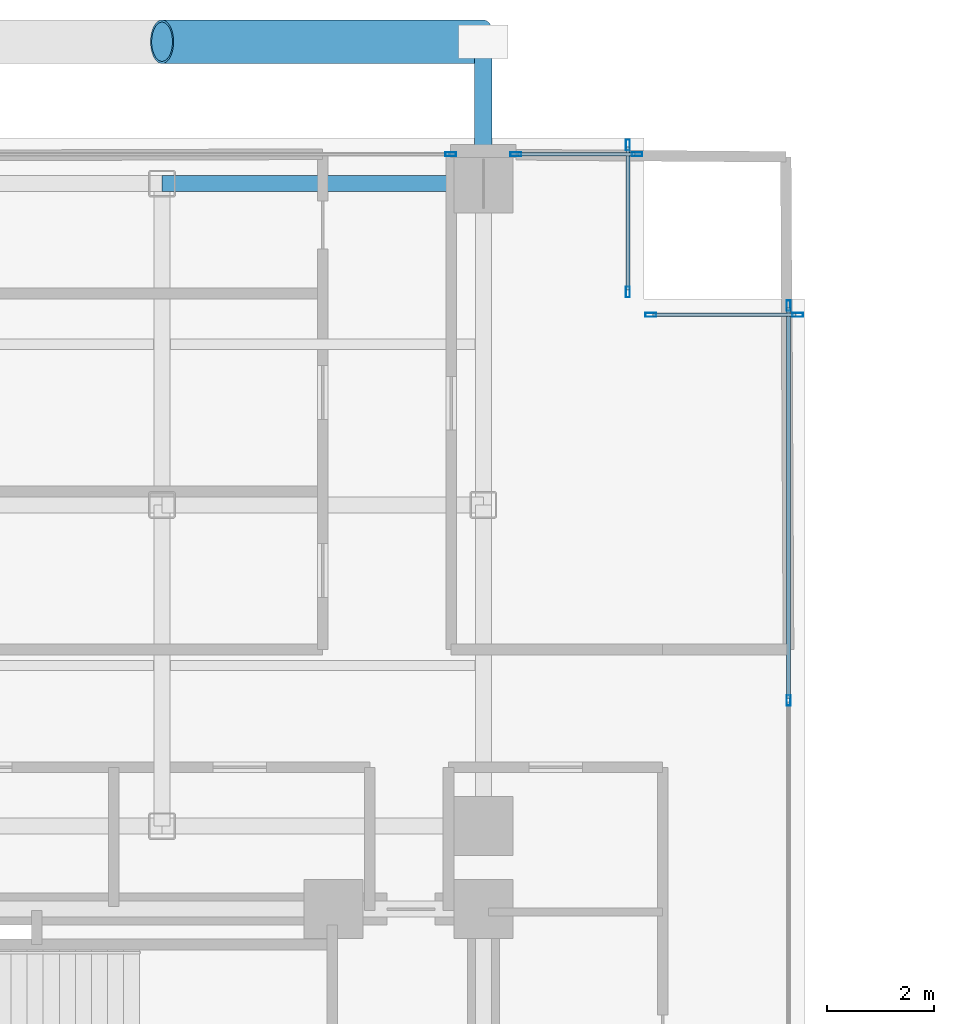
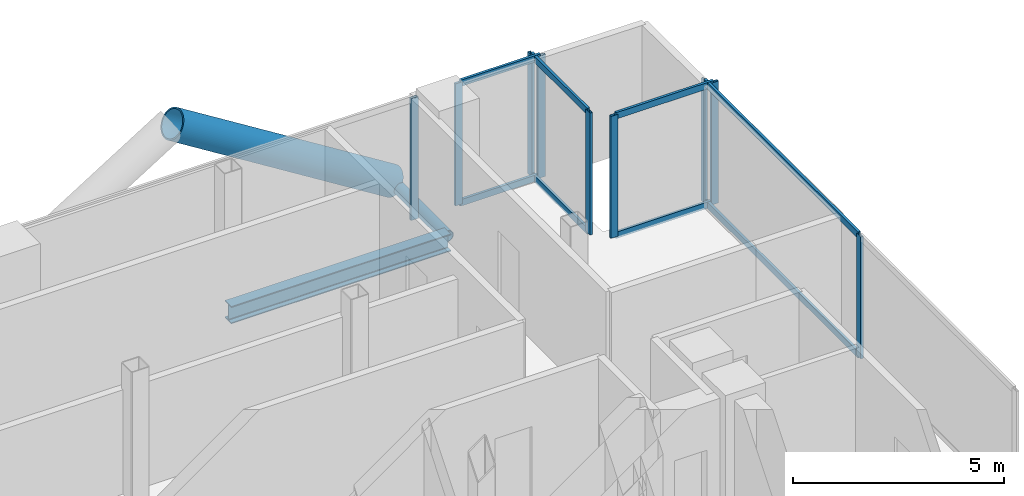
# One storey, part 17 of 28: 19 members, 1 beam, 5 elements without a shape of their own.
"""IFC4 building model written with IfcOpenShell, lengths in metres."""

from ifc_helpers import new_model, si_unit, direction, frame, origin, origin_2d, place, context, subcontext, project, spatial, hollow_rectangle, hollow_circle, i_section, extrude, material, layer, layer_set, material_profile, profile_set, type_object, element, aggregate, save


model = new_model("IFC4")

# Units and contexts
model_context = context("Model", 3, precision=1e-05, world=origin(), true_north=direction((0.0, 1.0)))
body_context = subcontext(model_context, "Body", "Model", "MODEL_VIEW")
ifc_project = project(units=[si_unit("LENGTHUNIT", "METRE"), si_unit("AREAUNIT", "SQUARE_METRE"), si_unit("VOLUMEUNIT", "CUBIC_METRE"), si_unit("PLANEANGLEUNIT", "RADIAN"), si_unit("MASSUNIT", "GRAM", prefix="KILO"), si_unit("THERMODYNAMICTEMPERATUREUNIT", "KELVIN"), si_unit("POWERUNIT", "WATT")], contexts=[model_context])

# Site, building, storey
site_placement = place(None, origin())
site = spatial("IfcSite", under=ifc_project, at=site_placement, CompositionType="ELEMENT")
building_placement = place(site_placement, origin())
building = spatial("IfcBuilding", under=site, at=building_placement, Name="Svarakhadi Broadcast Tower", CompositionType="ELEMENT")
storey_placement = place(building_placement, frame((0.0, 0.0, 119.39990234375)))
storey = spatial("IfcBuildingStorey", under=building, at=storey_placement, Name="L28", CompositionType="ELEMENT", Elevation=119.39990234375)

# Curtain wall, member
ifc_material_1 = material(Name="Anodised Bronze Aluminium AA 6063-T6", Category="aluminium")
ifc_layer = layer(ifc_material_1, 0.199951171875)
ifc_layer_set = layer_set([ifc_layer], Name="Anodised Bronze Aluminium AA 6063-T6")
curtain_wall_type = type_object("IfcCurtainWallType", Name="CW_Sys_03", PredefinedType="NOTDEFINED", material=ifc_layer_set)
curtain_wall_1_placement = place(storey_placement, origin())
curtain_wall_1 = element("IfcCurtainWall", 1, at=curtain_wall_1_placement, inside=storey, type_object=curtain_wall_type, Name="L28 Unitised Facade Curtain Wall 06 Bay 2", PredefinedType="NOTDEFINED")
ifc_material_profile_1 = material_profile(ifc_material_1, hollow_rectangle(XDim=0.074951171875, YDim=0.199951171875, WallThickness=0.005615234375, at=origin_2d()), Name="ALU MULLION 200x75x6")
ifc_profile_set_1 = profile_set([ifc_material_profile_1], Name="Anodised Bronze Aluminium AA 6063-T6")
member_type_1 = type_object("IfcMemberType", Name="CW_Sys_03_Mul", PredefinedType="MULLION", material=ifc_profile_set_1)
member_1_placement = place(storey_placement, frame((17.392578125, 41.699951171875, 0.0), z_axis=(0.0, 0.0, 1.0), x_axis=(0.0, 1.0, 0.0)))
member_1 = element("IfcMember", 2, at=member_1_placement, type_object=member_type_1, Name="CW-03 mullion 2", PredefinedType="MULLION", context=body_context, shape_type="SweptSolid", body=[
    extrude(hollow_rectangle(XDim=0.074951171875, YDim=0.199951171875, WallThickness=0.005615234375, at=origin_2d()), origin(), (0.0, 0.0, 1.0), 3.525146484375),
])
aggregate(curtain_wall_1, [member_1])

# Curtain wall, members
curtain_wall_2_placement = place(storey_placement, origin())
curtain_wall_2 = element("IfcCurtainWall", 3, at=curtain_wall_2_placement, inside=storey, type_object=curtain_wall_type, Name="L28 Unitised Facade Curtain Wall 06 Bay 3", PredefinedType="NOTDEFINED")
member_2_placement = place(storey_placement, frame((18.607421875, 41.699951171875, 0.0), z_axis=(0.0, 0.0, 1.0), x_axis=(0.0, 1.0, 0.0)))
member_2 = element("IfcMember", 4, at=member_2_placement, type_object=member_type_1, Name="CW-03 mullion 1", PredefinedType="MULLION", context=body_context, shape_type="SweptSolid", body=[
    extrude(hollow_rectangle(XDim=0.074951171875, YDim=0.199951171875, WallThickness=0.005615234375, at=origin_2d()), origin(), (0.0, 0.0, 1.0), 3.525146484375),
])
member_3_placement = place(storey_placement, frame((20.87255859375, 41.699951171875, 0.0), z_axis=(0.0, 0.0, 1.0), x_axis=(0.0, 1.0, 0.0)))
member_3 = element("IfcMember", 5, at=member_3_placement, type_object=member_type_1, Name="CW-03 mullion 2", PredefinedType="MULLION", context=body_context, shape_type="SweptSolid", body=[
    extrude(hollow_rectangle(XDim=0.074951171875, YDim=0.199951171875, WallThickness=0.005615234375, at=origin_2d()), origin(), (0.0, 0.0, 1.0), 3.525146484375),
])

curtain_wall_3_placement = place(storey_placement, origin())
curtain_wall_3 = element("IfcCurtainWall", 6, at=curtain_wall_3_placement, inside=storey, type_object=curtain_wall_type, Name="L28 Unitised Facade Curtain Wall 07", PredefinedType="NOTDEFINED")
member_4_placement = place(storey_placement, frame((20.699951171875, 41.87255859375, 0.0), z_axis=(0.0, 0.0, 1.0), x_axis=(1.0, 0.0, 0.0)))
member_4 = element("IfcMember", 7, at=member_4_placement, type_object=member_type_1, Name="CW-03 mullion 1", PredefinedType="MULLION", context=body_context, shape_type="SweptSolid", body=[
    extrude(hollow_rectangle(XDim=0.074951171875, YDim=0.199951171875, WallThickness=0.005615234375, at=origin_2d()), origin(), (0.0, 0.0, 1.0), 3.525146484375),
])
member_5_placement = place(storey_placement, frame((20.699951171875, 39.12744140625, 0.0), z_axis=(0.0, 0.0, 1.0), x_axis=(1.0, 0.0, 0.0)))
member_5 = element("IfcMember", 8, at=member_5_placement, type_object=member_type_1, Name="CW-03 mullion 2", PredefinedType="MULLION", context=body_context, shape_type="SweptSolid", body=[
    extrude(hollow_rectangle(XDim=0.074951171875, YDim=0.199951171875, WallThickness=0.005615234375, at=origin_2d()), origin(), (0.0, 0.0, 1.0), 3.525146484375),
])

curtain_wall_4_placement = place(storey_placement, origin())
curtain_wall_4 = element("IfcCurtainWall", 9, at=curtain_wall_4_placement, inside=storey, type_object=curtain_wall_type, Name="L28 Unitised Facade Curtain Wall 08", PredefinedType="NOTDEFINED")
member_6_placement = place(storey_placement, frame((21.12744140625, 38.699951171875, 0.0), z_axis=(0.0, 0.0, 1.0), x_axis=(0.0, 1.0, 0.0)))
member_6 = element("IfcMember", 10, at=member_6_placement, type_object=member_type_1, Name="CW-03 mullion 1", PredefinedType="MULLION", context=body_context, shape_type="SweptSolid", body=[
    extrude(hollow_rectangle(XDim=0.074951171875, YDim=0.199951171875, WallThickness=0.005615234375, at=origin_2d()), origin(), (0.0, 0.0, 1.0), 3.525146484375),
])
member_7_placement = place(storey_placement, frame((23.87255859375, 38.699951171875, 0.0), z_axis=(0.0, 0.0, 1.0), x_axis=(0.0, 1.0, 0.0)))
member_7 = element("IfcMember", 11, at=member_7_placement, type_object=member_type_1, Name="CW-03 mullion 2", PredefinedType="MULLION", context=body_context, shape_type="SweptSolid", body=[
    extrude(hollow_rectangle(XDim=0.074951171875, YDim=0.199951171875, WallThickness=0.005615234375, at=origin_2d()), origin(), (0.0, 0.0, 1.0), 3.525146484375),
])

curtain_wall_5_placement = place(storey_placement, origin())
curtain_wall_5 = element("IfcCurtainWall", 12, at=curtain_wall_5_placement, inside=storey, type_object=curtain_wall_type, Name="L28 Unitised Facade Curtain Wall 09", PredefinedType="NOTDEFINED")
member_8_placement = place(storey_placement, frame((23.699951171875, 38.87255859375, 0.0), z_axis=(0.0, 0.0, 1.0), x_axis=(1.0, 0.0, 0.0)))
member_8 = element("IfcMember", 13, at=member_8_placement, type_object=member_type_1, Name="CW-03 mullion 1", PredefinedType="MULLION", context=body_context, shape_type="SweptSolid", body=[
    extrude(hollow_rectangle(XDim=0.074951171875, YDim=0.199951171875, WallThickness=0.005615234375, at=origin_2d()), origin(), (0.0, 0.0, 1.0), 3.525146484375),
])
member_9_placement = place(storey_placement, frame((23.699951171875, 31.5, 0.0), z_axis=(0.0, 0.0, 1.0), x_axis=(1.0, 0.0, 0.0)))
member_9 = element("IfcMember", 14, at=member_9_placement, type_object=member_type_1, Name="CW-03 mullion 2", PredefinedType="MULLION", context=body_context, shape_type="SweptSolid", body=[
    extrude(hollow_rectangle(XDim=0.074951171875, YDim=0.199951171875, WallThickness=0.005615234375, at=origin_2d()), origin(), (0.0, 0.0, 1.0), 3.525146484375),
])

# Member
ifc_material_profile_2 = material_profile(ifc_material_1, hollow_rectangle(XDim=0.070068359375, YDim=0.18505859375, WallThickness=0.0048828125, at=origin_2d()), Name="ALU TRANSOM 185x70x5")
ifc_profile_set_2 = profile_set([ifc_material_profile_2], Name="Anodised Bronze Aluminium AA 6063-T6")
member_type_2 = type_object("IfcMemberType", Name="CW_Sys_03_Trn", PredefinedType="USERDEFINED", material=ifc_profile_set_2)
member_10_placement = place(storey_placement, frame((18.64501953125, 41.699951171875, 0.03515625), z_axis=(1.0, 0.0, 0.0), x_axis=(0.0, 1.0, 0.0)))
member_10 = element("IfcMember", 15, at=member_10_placement, type_object=member_type_2, Name="CW-03 transom 1.1", ObjectType="TRANSOM", PredefinedType="USERDEFINED", context=body_context, shape_type="SweptSolid", body=[
    extrude(hollow_rectangle(XDim=0.070068359375, YDim=0.18505859375, WallThickness=0.0048828125, at=origin_2d()), origin(), (0.0, 0.0, 1.0), 2.18994140625),
])

member_11_placement = place(storey_placement, frame((18.64501953125, 41.699951171875, 3.489990234375), z_axis=(1.0, 0.0, 0.0), x_axis=(0.0, 1.0, 0.0)))
member_11 = element("IfcMember", 16, at=member_11_placement, type_object=member_type_2, Name="CW-03 transom 1.2", ObjectType="TRANSOM", PredefinedType="USERDEFINED", context=body_context, shape_type="SweptSolid", body=[
    extrude(hollow_rectangle(XDim=0.070068359375, YDim=0.18505859375, WallThickness=0.0048828125, at=origin_2d()), origin(), (0.0, 0.0, 1.0), 2.18994140625),
])

aggregate(curtain_wall_2, [member_2, member_3, member_10, member_11])

member_12_placement = place(storey_placement, frame((20.699951171875, 41.8349609375, 0.03515625), z_axis=(0.0, -1.0, 0.0), x_axis=(1.0, 0.0, 0.0)))
member_12 = element("IfcMember", 17, at=member_12_placement, type_object=member_type_2, Name="CW-03 transom 1.1", ObjectType="TRANSOM", PredefinedType="USERDEFINED", context=body_context, shape_type="SweptSolid", body=[
    extrude(hollow_rectangle(XDim=0.070068359375, YDim=0.18505859375, WallThickness=0.0048828125, at=origin_2d()), origin(), (0.0, 0.0, 1.0), 2.669921875),
])

member_13_placement = place(storey_placement, frame((20.699951171875, 41.8349609375, 3.489990234375), z_axis=(0.0, -1.0, 0.0), x_axis=(1.0, 0.0, 0.0)))
member_13 = element("IfcMember", 18, at=member_13_placement, type_object=member_type_2, Name="CW-03 transom 1.2", ObjectType="TRANSOM", PredefinedType="USERDEFINED", context=body_context, shape_type="SweptSolid", body=[
    extrude(hollow_rectangle(XDim=0.070068359375, YDim=0.18505859375, WallThickness=0.0048828125, at=origin_2d()), origin(), (0.0, 0.0, 1.0), 2.669921875),
])

aggregate(curtain_wall_3, [member_4, member_5, member_12, member_13])

member_14_placement = place(storey_placement, frame((21.1650390625, 38.699951171875, 0.03515625), z_axis=(1.0, 0.0, 0.0), x_axis=(0.0, 1.0, 0.0)))
member_14 = element("IfcMember", 19, at=member_14_placement, type_object=member_type_2, Name="CW-03 transom 1.1", ObjectType="TRANSOM", PredefinedType="USERDEFINED", context=body_context, shape_type="SweptSolid", body=[
    extrude(hollow_rectangle(XDim=0.070068359375, YDim=0.18505859375, WallThickness=0.0048828125, at=origin_2d()), origin(), (0.0, 0.0, 1.0), 2.669921875),
])

member_15_placement = place(storey_placement, frame((21.1650390625, 38.699951171875, 3.489990234375), z_axis=(1.0, 0.0, 0.0), x_axis=(0.0, 1.0, 0.0)))
member_15 = element("IfcMember", 20, at=member_15_placement, type_object=member_type_2, Name="CW-03 transom 1.2", ObjectType="TRANSOM", PredefinedType="USERDEFINED", context=body_context, shape_type="SweptSolid", body=[
    extrude(hollow_rectangle(XDim=0.070068359375, YDim=0.18505859375, WallThickness=0.0048828125, at=origin_2d()), origin(), (0.0, 0.0, 1.0), 2.669921875),
])

aggregate(curtain_wall_4, [member_6, member_7, member_14, member_15])

member_16_placement = place(storey_placement, frame((23.699951171875, 38.8349609375, 0.03515625), z_axis=(0.0, -1.0, 0.0), x_axis=(1.0, 0.0, 0.0)))
member_16 = element("IfcMember", 21, at=member_16_placement, type_object=member_type_2, Name="CW-03 transom 1.1", ObjectType="TRANSOM", PredefinedType="USERDEFINED", context=body_context, shape_type="SweptSolid", body=[
    extrude(hollow_rectangle(XDim=0.070068359375, YDim=0.18505859375, WallThickness=0.0048828125, at=origin_2d()), origin(), (0.0, 0.0, 1.0), 7.29736328125),
])

member_17_placement = place(storey_placement, frame((23.699951171875, 38.8349609375, 3.489990234375), z_axis=(0.0, -1.0, 0.0), x_axis=(1.0, 0.0, 0.0)))
member_17 = element("IfcMember", 22, at=member_17_placement, type_object=member_type_2, Name="CW-03 transom 1.2", ObjectType="TRANSOM", PredefinedType="USERDEFINED", context=body_context, shape_type="SweptSolid", body=[
    extrude(hollow_rectangle(XDim=0.070068359375, YDim=0.18505859375, WallThickness=0.0048828125, at=origin_2d()), origin(), (0.0, 0.0, 1.0), 7.29736328125),
])

aggregate(curtain_wall_5, [member_8, member_9, member_16, member_17])

# Members
ifc_material_2 = material(Name="Steel S460ML (IS 2062 E450BR)", Category="steel")
ifc_material_profile_3 = material_profile(ifc_material_2, hollow_circle(Radius=0.406494140625, WallThickness=0.0400390625, at=origin_2d()), Name="CHS 813x40")
ifc_profile_set_3 = profile_set([ifc_material_profile_3], Name="Steel S460ML (IS 2062 E450BR)")
member_type_3 = type_object("IfcMemberType", Name="Exo_Brace_CHS813", PredefinedType="BRACE", material=ifc_profile_set_3)
member_18_placement = place(storey_placement, frame((18.0, 43.800048828125, -0.386962890625), z_axis=(-0.847998304005, 0.0, 0.529998940003), x_axis=(0.0, -1.0, 0.0)))
element("IfcMember", 23, at=member_18_placement, inside=storey, type_object=member_type_3, Name="L28 Exposed Bronze Exoskeleton Diagonal N11", PredefinedType="BRACE", context=body_context, shape_type="SweptSolid", body=[
    extrude(hollow_circle(Radius=0.406494140625, WallThickness=0.0400390625, at=origin_2d()), origin(), (0.0, 0.0, 1.0), 7.075439453125),
])
ifc_material_profile_4 = material_profile(ifc_material_2, hollow_circle(Radius=0.161865234375, WallThickness=0.01611328125, at=origin_2d()), Name="CHS 323.9x16")
ifc_profile_set_4 = profile_set([ifc_material_profile_4], Name="Steel S460ML (IS 2062 E450BR)")
member_type_4 = type_object("IfcMemberType", Name="Exo_Radial_Strut_Z2", PredefinedType="STRUT", material=ifc_profile_set_4)
member_19_placement = place(storey_placement, frame((18.0, 43.800048828125, -0.386962890625), z_axis=(0.0, -1.0, 0.0), x_axis=(1.0, 0.0, 0.0)))
element("IfcMember", 24, at=member_19_placement, inside=storey, type_object=member_type_4, Name="L28 Exoskeleton Radial Tie Strut N11", PredefinedType="STRUT", context=body_context, shape_type="SweptSolid", body=[
    extrude(hollow_circle(Radius=0.161865234375, WallThickness=0.01611328125, at=origin_2d()), origin(), (0.0, 0.0, 1.0), 2.650146484375),
])

# Beam
ifc_material_3 = material(Name="Steel S355J2 (IS 2062 E350C)", Category="steel")
ifc_material_profile_5 = material_profile(ifc_material_3, i_section(OverallWidth=0.300048828125, OverallDepth=0.5, WebThickness=0.014404296875, FlangeThickness=0.028076171875, FilletRadius=0.027099609375, at=origin_2d()), Name="WPB 500x300x187")
ifc_profile_set_5 = profile_set([ifc_material_profile_5], Name="Steel S355J2 (IS 2062 E350C)")
beam_type = type_object("IfcBeamType", Name="Girder_WPB500", PredefinedType="USERDEFINED", material=ifc_profile_set_5)
beam_placement = place(storey_placement, frame((12.0, 41.14990234375, -0.474853515625), z_axis=(1.0, 0.0, 0.0), x_axis=(0.0, 1.0, 0.0)))
element("IfcBeam", 25, at=beam_placement, inside=storey, type_object=beam_type, Name="L28 Primary E-W Girder G039", ObjectType="GIRDER", PredefinedType="USERDEFINED", context=body_context, shape_type="SweptSolid", body=[
    extrude(i_section(OverallWidth=0.300048828125, OverallDepth=0.5, WebThickness=0.014404296875, FlangeThickness=0.028076171875, FilletRadius=0.027099609375, at=origin_2d()), origin(), (0.0, 0.0, 1.0), 6.0),
])

save(model, "model.ifc")
